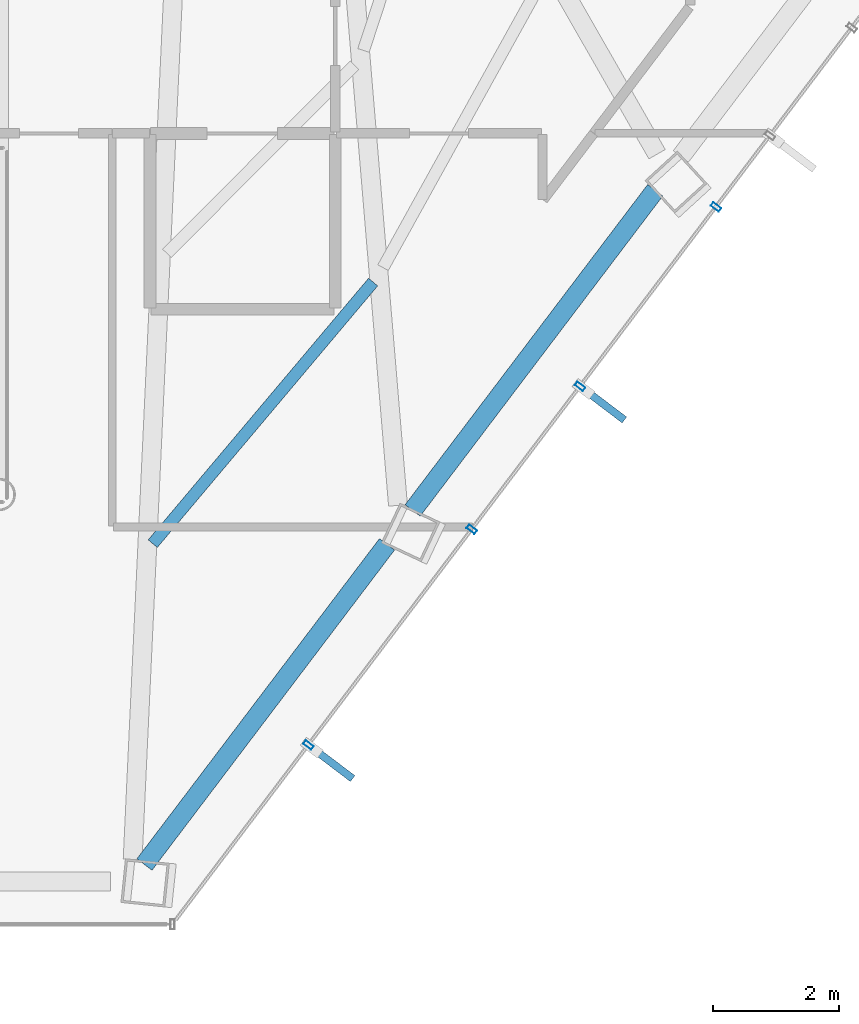
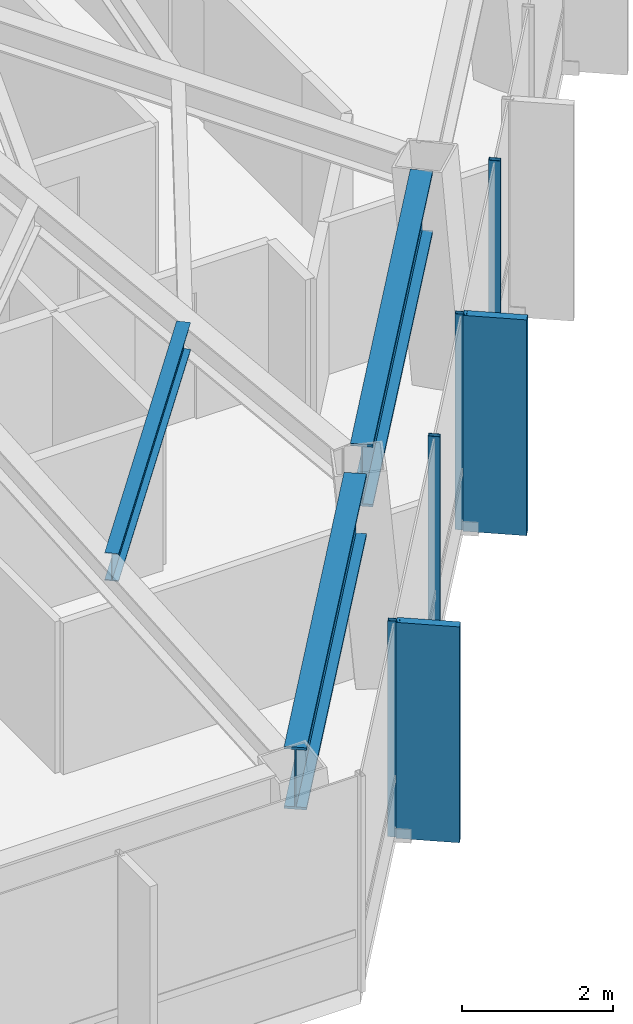
# One storey, part 16 of 27: 6 members, 3 beams, 1 element without a shape of its own.
"""IFC4 building model written with IfcOpenShell, lengths in metres."""

import ifcopenshell
import ifcopenshell.guid

model = None  # the IFC model being written
_history = None  # IfcOwnerHistory: only IFC2X3 demands one
_inside = {}  # id of a spatial element -> (the spatial element, [elements in it])
_under = {}  # id of a project, library or spatial element -> (it, [spatial elements below it])
_declared = {}  # id of a project -> (the project, [libraries it declares])
_typed = {}  # id of a type object -> (the type object, [elements of that type])
_made_of = {}  # id of a material, layer set ... -> (it, [elements and type objects made of it])


def new_model(schema):
    """Start an empty IFC model of exactly this schema.

    Asked for "IFC4X3", IfcOpenShell would pick the latest addendum, in which some entities
    have other attributes; the version numbers below select the first issue.
    IFC2X3 requires an IfcOwnerHistory on every rooted entity: one is made here for all.
    """
    global model, _history
    if schema == "IFC4X3":
        model = ifcopenshell.file(schema_version=(4, 3, 0, 0))
    else:
        model = ifcopenshell.file(schema=schema)
    _inside.clear()
    _under.clear()
    _declared.clear()
    _typed.clear()
    _made_of.clear()
    _history = None
    if model.schema == "IFC2X3":
        org = make("IfcOrganization", Name="unknown")
        user = make(
            "IfcPersonAndOrganization",
            ThePerson=make("IfcPerson", FamilyName="unknown"),
            TheOrganization=org,
        )
        app = make(
            "IfcApplication",
            ApplicationDeveloper=org,
            Version="unknown",
            ApplicationFullName="unknown",
            ApplicationIdentifier="unknown",
        )
        _history = make(
            "IfcOwnerHistory",
            OwningUser=user,
            OwningApplication=app,
            ChangeAction="ADDED",
            CreationDate=0,
        )
    return model


def make(cls, **values):
    """One entity of the class cls with the attributes given. An attribute that is None is left unset."""
    return model.create_entity(
        cls, **{name: value for name, value in values.items() if value is not None}
    )


def rooted(cls, **values):
    """An entity with a GlobalId (a new one), such as an element, a storey or a relation."""
    return make(cls, GlobalId=ifcopenshell.guid.new(), OwnerHistory=_history, **values)


def si_unit(unit_type, name, prefix=None):
    """IfcSIUnit, for example si_unit("LENGTHUNIT", "METRE", prefix="MILLI")."""
    return make("IfcSIUnit", UnitType=unit_type, Prefix=prefix, Name=name)


def assignment(units):
    """IfcUnitAssignment: the units of a project."""
    return None if units is None else make("IfcUnitAssignment", Units=units)


def point(xyz):
    """IfcCartesianPoint."""
    return None if xyz is None else make("IfcCartesianPoint", Coordinates=xyz)


def direction(xyz):
    """IfcDirection."""
    return None if xyz is None else make("IfcDirection", DirectionRatios=xyz)


def frame(location, z_axis=None, x_axis=None):
    """IfcAxis2Placement3D, a coordinate frame: its origin and axes. An axis left out is left unset."""
    return make(
        "IfcAxis2Placement3D",
        Location=point(location),
        Axis=direction(z_axis),
        RefDirection=direction(x_axis),
    )


def frame_2d(location, x_axis=None):
    """IfcAxis2Placement2D, a coordinate frame in the plane: its origin and x axis."""
    return make(
        "IfcAxis2Placement2D", Location=point(location), RefDirection=direction(x_axis)
    )


def origin():
    """The frame at (0, 0, 0) with its axes left unset."""
    return frame((0.0, 0.0, 0.0))


def origin_2d():
    """The frame at (0, 0) in the plane with its x axis left unset."""
    return frame_2d((0.0, 0.0))


def place(relative_to, where):
    """IfcLocalPlacement: puts the frame where relative to a parent placement (None: the world)."""
    return make(
        "IfcLocalPlacement", PlacementRelTo=relative_to, RelativePlacement=where
    )


def context(
    kind, dimensions, precision=None, world=None, true_north=None, identifier=None
):
    """IfcGeometricRepresentationContext, for example the 3D "Model" context."""
    return make(
        "IfcGeometricRepresentationContext",
        ContextIdentifier=identifier,
        ContextType=kind,
        CoordinateSpaceDimension=dimensions,
        Precision=precision,
        WorldCoordinateSystem=world,
        TrueNorth=true_north,
    )


def subcontext(parent, identifier, kind, view, scale=None):
    """IfcGeometricRepresentationSubContext, for example "Body" below "Model"."""
    return make(
        "IfcGeometricRepresentationSubContext",
        ContextIdentifier=identifier,
        ContextType=kind,
        ParentContext=parent,
        TargetScale=scale,
        TargetView=view,
    )


def project(units=None, contexts=None):
    """IfcProject with its units and contexts."""
    return rooted(
        "IfcProject",
        Name="project",
        RepresentationContexts=contexts,
        UnitsInContext=assignment(units),
    )


def spatial(cls, under=None, at=None, **own):
    """A site, building, storey or space (cls), placed at a placement, below another one or the project."""
    s = rooted(cls, ObjectPlacement=at, **own)
    if under is not None:
        _under.setdefault(under.id(), (under, []))[1].append(s)
    return s


def profile(cls, at=None, kind="AREA", **sizes):
    """A parametric profile (cls). Its sizes go by their IFC names, for example OverallWidth=200.0."""
    return make(cls, ProfileType=kind, Position=at, **sizes)


def rectangle(**sizes):
    """IfcRectangleProfileDef."""
    return profile("IfcRectangleProfileDef", **sizes)


def hollow_rectangle(**sizes):
    """IfcRectangleHollowProfileDef."""
    return profile("IfcRectangleHollowProfileDef", **sizes)


def i_section(**sizes):
    """IfcIShapeProfileDef."""
    return profile("IfcIShapeProfileDef", **sizes)


def extrude(swept, where, along, depth):
    """IfcExtrudedAreaSolid: the profile swept, set in the frame where, extruded along a direction by depth."""
    return make(
        "IfcExtrudedAreaSolid",
        SweptArea=swept,
        Position=where,
        ExtrudedDirection=direction(along),
        Depth=depth,
    )


def shape(context_of_items, identifier, shape_type, items):
    """IfcShapeRepresentation: the items that make up one representation, for example the "Body"."""
    return make(
        "IfcShapeRepresentation",
        ContextOfItems=context_of_items,
        RepresentationIdentifier=identifier,
        RepresentationType=shape_type,
        Items=items,
    )


def material(Name=None, Category=None):
    """IfcMaterial."""
    return make("IfcMaterial", Name=Name, Category=Category)


def layer(
    of_material, thickness, ventilated=None, Name=None, Category=None, Priority=None
):
    """IfcMaterialLayer: one layer of a wall or slab, of a material (None: an air gap)."""
    return make(
        "IfcMaterialLayer",
        Material=of_material,
        LayerThickness=thickness,
        IsVentilated=ventilated,
        Name=Name,
        Category=Category,
        Priority=Priority,
    )


def layer_set(layers, Name=None):
    """IfcMaterialLayerSet."""
    return make("IfcMaterialLayerSet", MaterialLayers=layers, LayerSetName=Name)


def material_profile(
    of_material, cross_section, Name=None, Category=None, Priority=None
):
    """IfcMaterialProfile: a cross section and its material."""
    return make(
        "IfcMaterialProfile",
        Name=Name,
        Material=of_material,
        Profile=cross_section,
        Priority=Priority,
        Category=Category,
    )


def profile_set(profiles, Name=None, composite=None):
    """IfcMaterialProfileSet."""
    return make(
        "IfcMaterialProfileSet",
        Name=Name,
        MaterialProfiles=profiles,
        CompositeProfile=composite,
    )


def made_of(thing, what):
    """Note that an element or type object is made of a material, layer set ...; save() writes the relation."""
    if what is not None:
        _made_of.setdefault(what.id(), (what, []))[1].append(thing)
    return thing


def type_object(cls, material=None, **own):
    """A type object (cls), such as IfcWallType, which elements share."""
    return made_of(rooted(cls, **own), material)


def element(
    cls,
    number,
    at=None,
    inside=None,
    cuts=None,
    type_object=None,
    material=None,
    context=None,
    identifier="Body",
    shape_type=None,
    held_by="IfcProductDefinitionShape",
    body=None,
    shapes=None,
    **own,
):
    """One element of the class cls, such as IfcWall. Its Tag is "e" and its number.

    at: its placement. inside: the storey or other place that contains it. cuts: it is an
    opening in that element (IfcRelVoidsElement). A single representation is given by context,
    identifier, shape_type and body (its items); several are given by shapes. held_by: the class
    of the entity that holds the representations. save() writes the other relations.
    """
    e = rooted(cls, Tag="e%d" % number, ObjectPlacement=at, **own)
    if body is not None:
        shapes = [shape(context, identifier, shape_type, body)]
    if shapes is not None:
        e.Representation = make(held_by, Representations=shapes)
    if inside is not None:
        _inside.setdefault(inside.id(), (inside, []))[1].append(e)
    if cuts is not None:
        rooted(
            "IfcRelVoidsElement", RelatingBuildingElement=cuts, RelatedOpeningElement=e
        )
    if type_object is not None:
        _typed.setdefault(type_object.id(), (type_object, []))[1].append(e)
    return made_of(e, material)


def aggregate(whole, parts):
    """IfcRelAggregates: a whole, such as a stair, and the parts it consists of."""
    return rooted("IfcRelAggregates", RelatingObject=whole, RelatedObjects=parts)


def save(model, path):
    """Write the relations noted so far, then the file.

    IfcRelAggregates (storeys below a building ...), IfcRelContainedInSpatialStructure (elements
    in a storey), IfcRelDefinesByType, IfcRelAssociatesMaterial and IfcRelDeclares: one each for
    every whole, place, type object, material and project.
    """
    for whole, parts in _under.values():
        aggregate(whole, parts)
    for where, things in _inside.values():
        rooted(
            "IfcRelContainedInSpatialStructure",
            RelatedElements=things,
            RelatingStructure=where,
        )
    for kind, things in _typed.values():
        rooted("IfcRelDefinesByType", RelatedObjects=things, RelatingType=kind)
    for what, things in _made_of.values():
        rooted("IfcRelAssociatesMaterial", RelatedObjects=things, RelatingMaterial=what)
    for by, libraries in _declared.values():
        rooted("IfcRelDeclares", RelatingContext=by, RelatedDefinitions=libraries)
    model.write(path)


model = new_model("IFC4")

# Units and contexts
model_context = context("Model", 3, precision=1e-05, world=origin(), true_north=direction((0.0, 1.0)))
body_context = subcontext(model_context, "Body", "Model", "MODEL_VIEW")
ifc_project = project(units=[si_unit("LENGTHUNIT", "METRE"), si_unit("AREAUNIT", "SQUARE_METRE"), si_unit("VOLUMEUNIT", "CUBIC_METRE"), si_unit("PLANEANGLEUNIT", "RADIAN"), si_unit("MASSUNIT", "GRAM", prefix="KILO")], contexts=[model_context])

# Site, building, storey
site_placement = place(None, origin())
site = spatial("IfcSite", under=ifc_project, at=site_placement, CompositionType="ELEMENT")
building_placement = place(site_placement, origin())
building = spatial("IfcBuilding", under=site, at=building_placement, Name="Zarrinselat Tower", CompositionType="ELEMENT")
storey_placement = place(building_placement, frame((0.0, 0.0, 183.260009765625)))
storey = spatial("IfcBuildingStorey", under=building, at=storey_placement, Name="L45", CompositionType="ELEMENT", Elevation=183.260009765625)

# Beams
ifc_material_1 = material(Name="Steel S460M", Category="steel")
ifc_material_profile_1 = material_profile(ifc_material_1, i_section(OverallWidth=0.302001953125, OverallDepth=1.008056640625, WebThickness=0.02099609375, FlangeThickness=0.0400390625, at=origin_2d()), Name="HEM 1000")
ifc_profile_set_1 = profile_set([ifc_material_profile_1], Name="Steel S460M")
beam_type_1 = type_object("IfcBeamType", Name="BM-HEM1000", PredefinedType="BEAM", material=ifc_profile_set_1)
for number, where, z_axis, x_axis, name in (
    (1, (45.311767578125, 18.5087890625, 2.99609375), (0.603846664563, 0.797100499119, 0.0), (-0.797100499119, 0.603846664563, 0.0), "L45 Perimeter Spandrel Girder SP11"),
    (2, (49.582275390625, 24.14599609375, 2.99609375), (0.603846664563, 0.797100499119, 0.0), (-0.797100499119, 0.603846664563, 0.0), "L45 Perimeter Spandrel Girder SP12"),
):
    element("IfcBeam", number, at=place(storey_placement, frame(where, z_axis=z_axis, x_axis=x_axis)), inside=storey, type_object=beam_type_1, Name=name, PredefinedType="BEAM", context=body_context, shape_type="SweptSolid", body=[
        extrude(i_section(OverallWidth=0.302001953125, OverallDepth=1.008056640625, WebThickness=0.02099609375, FlangeThickness=0.0400390625, at=origin_2d()), origin(), (0.0, 0.0, 1.0), 6.396240234375),
    ])
ifc_material_2 = material(Name="Steel S355J2", Category="steel")
ifc_material_profile_2 = material_profile(ifc_material_2, i_section(OverallWidth=0.18994140625, OverallDepth=0.449951171875, WebThickness=0.009521484375, FlangeThickness=0.0146484375, at=origin_2d()), Name="IPE 450")
ifc_profile_set_2 = profile_set([ifc_material_profile_2], Name="Steel S355J2")
beam_type_2 = type_object("IfcBeamType", Name="BM-IPE450", PredefinedType="JOIST", material=ifc_profile_set_2)
beam_placement = place(storey_placement, frame((45.444091796875, 23.617431640625, 3.27490234375), z_axis=(0.64426686884, 0.764800759489, 0.0), x_axis=(-0.764800759489, 0.64426686884, 0.0)))
element("IfcBeam", 3, at=beam_placement, inside=storey, type_object=beam_type_2, Name="L45 Composite Floor Joist 3-1", PredefinedType="JOIST", context=body_context, shape_type="SweptSolid", body=[
    extrude(i_section(OverallWidth=0.18994140625, OverallDepth=0.449951171875, WebThickness=0.009521484375, FlangeThickness=0.0146484375, at=origin_2d()), origin(), (0.0, 0.0, 1.0), 5.446533203125),
])

# Curtain wall, members
ifc_material_3 = material(Name="Extruded Aluminium Alloy EN AW-6063 T6", Category="aluminium")
ifc_layer = layer(ifc_material_3, 0.175048828125)
ifc_layer_set = layer_set([ifc_layer], Name="Extruded Aluminium Alloy EN AW-6063 T6")
curtain_wall_type = type_object("IfcCurtainWallType", Name="CWS-HTL", PredefinedType="NOTDEFINED", material=ifc_layer_set)
curtain_wall_placement = place(storey_placement, origin())
curtain_wall = element("IfcCurtainWall", 4, at=curtain_wall_placement, inside=storey, type_object=curtain_wall_type, Name="L45 Unitised Curtain Wall CW-L45-E05", PredefinedType="NOTDEFINED")
ifc_material_4 = material(Name="Extruded Aluminium Alloy EN AW-6063 T6", Category="aluminium")
ifc_material_profile_3 = material_profile(ifc_material_4, hollow_rectangle(XDim=0.070068359375, YDim=0.159912109375, WallThickness=0.00390625, at=origin_2d()), Name="RHS 160x70x4")
ifc_profile_set_3 = profile_set([ifc_material_profile_3], Name="Extruded Aluminium Alloy EN AW-6063 T6")
member_type_1 = type_object("IfcMemberType", Name="MEM-CW-MUL2", PredefinedType="MULLION", material=ifc_profile_set_3)
member_1_placement = place(storey_placement, frame((47.921630859375, 20.410888671875, 0.0), z_axis=(0.0, 0.0, 1.0), x_axis=(0.603859165965, 0.797091028478, 0.0)))
member_1 = element("IfcMember", 5, at=member_1_placement, type_object=member_type_1, Name="CW-L45-E05 Mullion 1", PredefinedType="MULLION", context=body_context, shape_type="SweptSolid", body=[
    extrude(hollow_rectangle(XDim=0.070068359375, YDim=0.159912109375, WallThickness=0.00390625, at=origin_2d()), origin(), (0.0, 0.0, 1.0), 3.5),
])
member_2_placement = place(storey_placement, frame((50.5244140625, 23.846435546875, 0.0), z_axis=(0.0, 0.0, 1.0), x_axis=(0.603859165965, 0.797091028478, 0.0)))
member_2 = element("IfcMember", 6, at=member_2_placement, type_object=member_type_1, Name="CW-L45-E05 Mullion 2", PredefinedType="MULLION", context=body_context, shape_type="SweptSolid", body=[
    extrude(hollow_rectangle(XDim=0.070068359375, YDim=0.159912109375, WallThickness=0.00390625, at=origin_2d()), origin(), (0.0, 0.0, 1.0), 3.5),
])
member_3_placement = place(storey_placement, frame((52.248046875, 26.12158203125, 0.0), z_axis=(0.0, 0.0, 1.0), x_axis=(0.603859165965, 0.797091028478, 0.0)))
member_3 = element("IfcMember", 7, at=member_3_placement, type_object=member_type_1, Name="CW-L45-E05 Mullion 3", PredefinedType="MULLION", context=body_context, shape_type="SweptSolid", body=[
    extrude(hollow_rectangle(XDim=0.070068359375, YDim=0.159912109375, WallThickness=0.00390625, at=origin_2d()), origin(), (0.0, 0.0, 1.0), 3.5),
])
member_4_placement = place(storey_placement, frame((54.411376953125, 28.977294921875, 0.0), z_axis=(0.0, 0.0, 1.0), x_axis=(0.603859165965, 0.797091028478, 0.0)))
member_4 = element("IfcMember", 8, at=member_4_placement, type_object=member_type_1, Name="CW-L45-E05 Mullion 4", PredefinedType="MULLION", context=body_context, shape_type="SweptSolid", body=[
    extrude(hollow_rectangle(XDim=0.070068359375, YDim=0.159912109375, WallThickness=0.00390625, at=origin_2d()), origin(), (0.0, 0.0, 1.0), 3.5),
])
ifc_material_5 = material(Name="Honed Cream Travertine Stone", Category="masonry")
ifc_material_profile_4 = material_profile(ifc_material_5, rectangle(XDim=0.1201171875, YDim=0.85009765625, at=origin_2d()), Name="FIN 850x120")
ifc_profile_set_4 = profile_set([ifc_material_profile_4], Name="Honed Cream Travertine Stone")
member_type_2 = type_object("IfcMemberType", Name="MEM-STONE-FIN", PredefinedType="USERDEFINED", material=ifc_profile_set_4)
member_5_placement = place(storey_placement, frame((48.288330078125, 20.133056640625, 0.0), z_axis=(0.0, 0.0, 1.0), x_axis=(-0.603859165965, -0.797091028478, 0.0)))
member_5 = element("IfcMember", 9, at=member_5_placement, type_object=member_type_2, Name="L45 Stone Shading Fin CW-L45-E05-01", ObjectType="FIN", PredefinedType="USERDEFINED", context=body_context, shape_type="SweptSolid", body=[
    extrude(rectangle(XDim=0.1201171875, YDim=0.85009765625, at=origin_2d()), origin(), (0.0, 0.0, 1.0), 3.5),
])
member_6_placement = place(storey_placement, frame((52.61474609375, 25.843994140625, 0.0), z_axis=(0.0, 0.0, 1.0), x_axis=(-0.603859165965, -0.797091028478, 0.0)))
member_6 = element("IfcMember", 10, at=member_6_placement, type_object=member_type_2, Name="L45 Stone Shading Fin CW-L45-E05-03", ObjectType="FIN", PredefinedType="USERDEFINED", context=body_context, shape_type="SweptSolid", body=[
    extrude(rectangle(XDim=0.1201171875, YDim=0.85009765625, at=origin_2d()), origin(), (0.0, 0.0, 1.0), 3.5),
])
aggregate(curtain_wall, [member_1, member_5, member_2, member_3, member_6, member_4])

save(model, "model.ifc")
